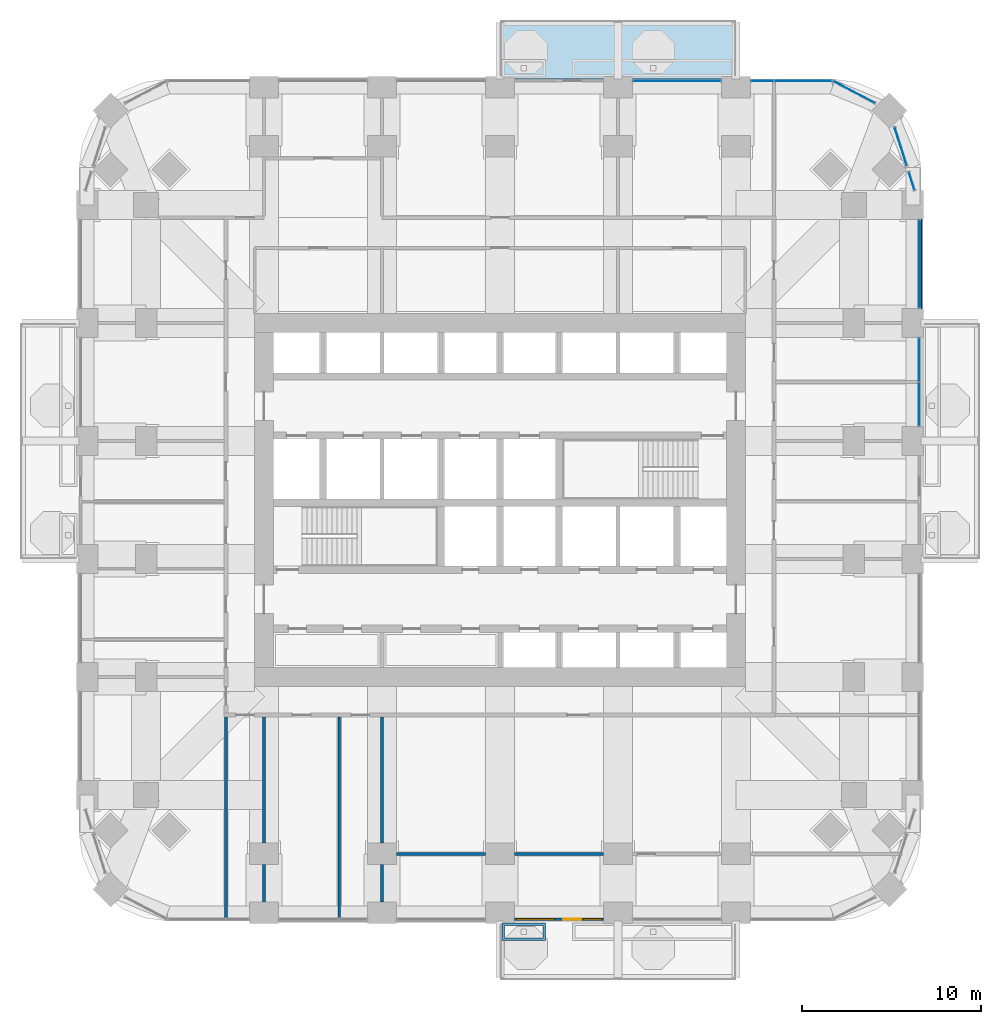
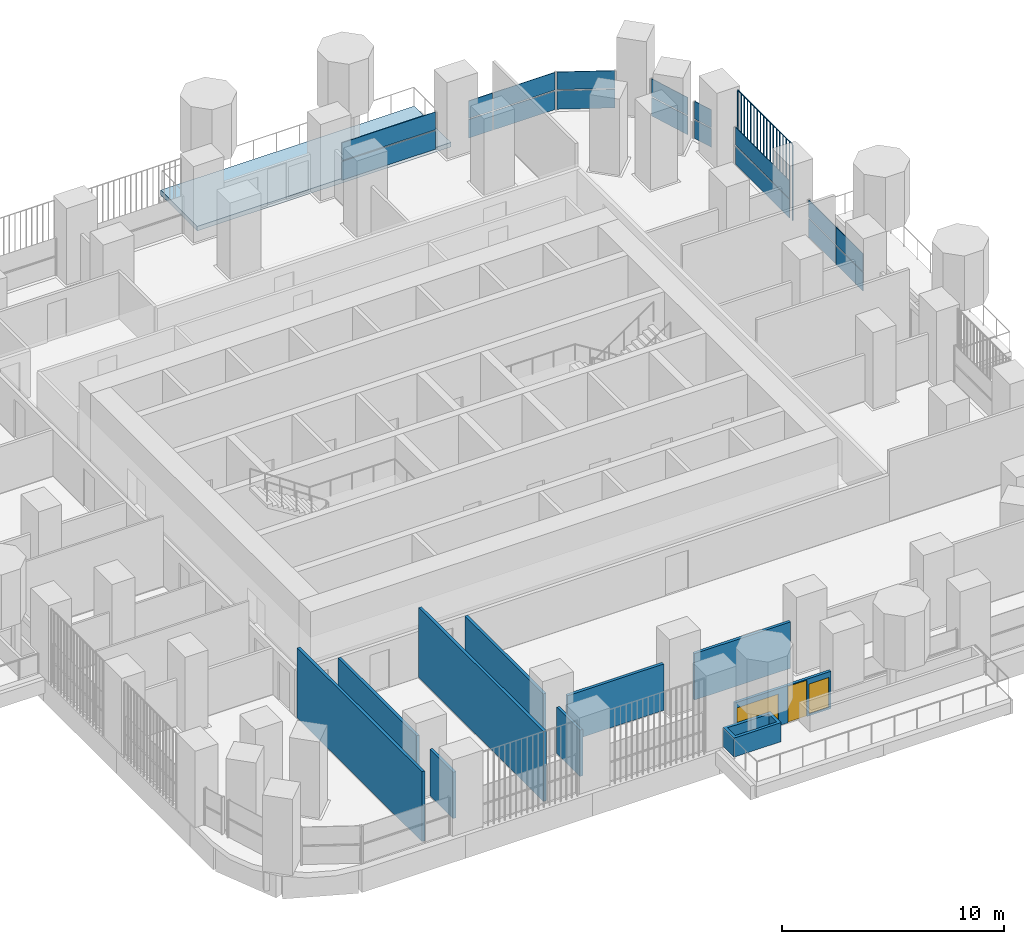
# One storey, part 13 of 22: 19 plates, 10 walls, 2 windows, 1 door, 1 slab, 3 openings, 7 elements without a shape of their own.
"""IFC4 building model written with IfcOpenShell, lengths in metres."""

from ifc_helpers import new_model, si_unit, direction, frame, frame_2d, origin, origin_2d, place, context, subcontext, project, spatial, polyline, rectangle, outline, extrude, material, layer, layer_set, type_object, element, fill, aggregate, save


model = new_model("IFC4")

# Units and contexts
model_context = context("Model", 3, precision=1e-05, world=origin(), true_north=direction((0.0, 1.0)))
body_context = subcontext(model_context, "Body", "Model", "MODEL_VIEW")
ifc_project = project(units=[si_unit("LENGTHUNIT", "METRE"), si_unit("AREAUNIT", "SQUARE_METRE"), si_unit("VOLUMEUNIT", "CUBIC_METRE"), si_unit("PLANEANGLEUNIT", "RADIAN"), si_unit("MASSUNIT", "GRAM", prefix="KILO")], contexts=[model_context])

# Site, building, storey
site_placement = place(None, origin())
site = spatial("IfcSite", under=ifc_project, at=site_placement, CompositionType="ELEMENT")
building_placement = place(site_placement, origin())
building = spatial("IfcBuilding", under=site, at=building_placement, Name="Cobogo Forest Laboratory Tower", CompositionType="ELEMENT")
storey_placement = place(building_placement, frame((0.0, 0.0, 145.199951171875)))
storey = spatial("IfcBuildingStorey", under=building, at=storey_placement, Name="L33", CompositionType="ELEMENT", Elevation=145.199951171875)

# Slab
ifc_material_1 = material(Name="Concrete HA-40 (C40/50)", Category="concrete")
ifc_layer_1 = layer(ifc_material_1, 0.25)
ifc_layer_set_1 = layer_set([ifc_layer_1], Name="Balcony slab 250")
slab_type = type_object("IfcSlabType", Name="Balcony slab 250", PredefinedType="FLOOR", material=ifc_layer_set_1)
slab_placement = place(storey_placement, frame((0.0, 0.0, -0.25)))
element("IfcSlab", 1, at=slab_placement, inside=storey, type_object=slab_type, Name="Balcony BAL-N1 L33", PredefinedType="FLOOR", context=body_context, shape_type="SweptSolid", body=[
    extrude(outline(polyline([(26.39990234375, 46.64990234375), (39.60009765625, 46.64990234375), (39.60009765625, 49.949951171875), (26.39990234375, 49.949951171875), (26.39990234375, 46.64990234375)])), origin(), (0.0, 0.0, 1.0), 0.25),
])

# Curtain wall, plates
ifc_material_2 = material(Name="Aluminium curtain wall", Category="aluminium")
curtain_wall_type = type_object("IfcCurtainWallType", Name="CW-1 unitised curtain wall, clear glazing, laboratory floors zones A and B", PredefinedType="USERDEFINED", material=ifc_material_2)
curtain_wall_1_placement = place(storey_placement, origin())
curtain_wall_1 = element("IfcCurtainWall", 2, at=curtain_wall_1_placement, inside=storey, type_object=curtain_wall_type, Name="Curtain wall 13 L33", ObjectType="UNITISED CURTAIN WALL", PredefinedType="USERDEFINED")
ifc_material_3 = material(Name="Clear insulated glass", Category="glass")
ifc_layer_2 = layer(ifc_material_3, 0.028076171875)
ifc_layer_set_2 = layer_set([ifc_layer_2], Name="GP-1 clear insulated glass unit 28")
plate_type_1 = type_object("IfcPlateType", Name="GP-1 clear insulated glass unit 28", PredefinedType="CURTAIN_PANEL", material=ifc_layer_set_2)
plate_1_placement = place(storey_placement, frame((49.85009765625, 28.465087890625, 0.0), z_axis=(0.0, 0.0, 1.0), x_axis=(0.0, 1.0, 0.0)))
plate_1 = element("IfcPlate", 3, at=plate_1_placement, type_object=plate_type_1, Name="CW-1 panel 1.1", PredefinedType="CURTAIN_PANEL", context=body_context, shape_type="SweptSolid", body=[
    extrude(rectangle(XDim=2.409912109375, YDim=0.028076171875, at=origin_2d()), origin(), (0.0, 0.0, 1.0), 1.02001953125),
])
plate_2_placement = place(storey_placement, frame((49.85009765625, 28.465087890625, 1.080078125), z_axis=(0.0, 0.0, 1.0), x_axis=(0.0, 1.0, 0.0)))
plate_2 = element("IfcPlate", 4, at=plate_2_placement, type_object=plate_type_1, Name="CW-1 panel 1.2", PredefinedType="CURTAIN_PANEL", context=body_context, shape_type="SweptSolid", body=[
    extrude(rectangle(XDim=2.409912109375, YDim=0.028076171875, at=origin_2d()), origin(), (0.0, 0.0, 1.0), 0.969970703125),
])
plate_3_placement = place(storey_placement, frame((49.85009765625, 30.93505859375, 0.0), z_axis=(0.0, 0.0, 1.0), x_axis=(0.0, 1.0, 0.0)))
plate_3 = element("IfcPlate", 5, at=plate_3_placement, type_object=plate_type_1, Name="CW-1 panel 2.1", PredefinedType="CURTAIN_PANEL", context=body_context, shape_type="SweptSolid", body=[
    extrude(rectangle(XDim=2.409912109375, YDim=0.028076171875, at=origin_2d()), origin(), (0.0, 0.0, 1.0), 1.02001953125),
])
plate_4_placement = place(storey_placement, frame((49.85009765625, 30.93505859375, 1.080078125), z_axis=(0.0, 0.0, 1.0), x_axis=(0.0, 1.0, 0.0)))
plate_4 = element("IfcPlate", 6, at=plate_4_placement, type_object=plate_type_1, Name="CW-1 panel 2.2", PredefinedType="CURTAIN_PANEL", context=body_context, shape_type="SweptSolid", body=[
    extrude(rectangle(XDim=2.409912109375, YDim=0.028076171875, at=origin_2d()), origin(), (0.0, 0.0, 1.0), 0.969970703125),
])
aggregate(curtain_wall_1, [plate_1, plate_2, plate_3, plate_4])

curtain_wall_2_placement = place(storey_placement, origin())
curtain_wall_2 = element("IfcCurtainWall", 7, at=curtain_wall_2_placement, inside=storey, type_object=curtain_wall_type, Name="Curtain wall 14 L33", ObjectType="UNITISED CURTAIN WALL", PredefinedType="USERDEFINED")
plate_5_placement = place(storey_placement, frame((49.85009765625, 36.300048828125, 0.0), z_axis=(0.0, 0.0, 1.0), x_axis=(0.0, 1.0, 0.0)))
plate_5 = element("IfcPlate", 8, at=plate_5_placement, type_object=plate_type_1, Name="CW-1 panel 1.1", PredefinedType="CURTAIN_PANEL", context=body_context, shape_type="SweptSolid", body=[
    extrude(rectangle(XDim=4.8798828125, YDim=0.028076171875, at=origin_2d()), origin(), (0.0, 0.0, 1.0), 1.02001953125),
])
plate_6_placement = place(storey_placement, frame((49.85009765625, 36.300048828125, 1.080078125), z_axis=(0.0, 0.0, 1.0), x_axis=(0.0, 1.0, 0.0)))
plate_6 = element("IfcPlate", 9, at=plate_6_placement, type_object=plate_type_1, Name="CW-1 panel 1.2", PredefinedType="CURTAIN_PANEL", context=body_context, shape_type="SweptSolid", body=[
    extrude(rectangle(XDim=4.8798828125, YDim=0.028076171875, at=origin_2d()), origin(), (0.0, 0.0, 1.0), 0.969970703125),
])
aggregate(curtain_wall_2, [plate_5, plate_6])

curtain_wall_3_placement = place(storey_placement, origin())
curtain_wall_3 = element("IfcCurtainWall", 10, at=curtain_wall_3_placement, inside=storey, type_object=curtain_wall_type, Name="Curtain wall 15 L33", ObjectType="UNITISED CURTAIN WALL", PredefinedType="USERDEFINED")
plate_7_placement = place(storey_placement, frame((49.426513671875, 40.94091796875, 0.0), z_axis=(0.0, 0.0, 1.0), x_axis=(-0.3011355018, 0.953581359694, 0.0)))
plate_7 = element("IfcPlate", 11, at=plate_7_placement, type_object=plate_type_1, Name="CW-1 panel 1.1", PredefinedType="CURTAIN_PANEL", context=body_context, shape_type="SweptSolid", body=[
    extrude(rectangle(XDim=1.0146484375, YDim=0.028076171875, at=origin_2d()), origin(), (0.0, 0.0, 1.0), 1.02001953125),
])
plate_8_placement = place(storey_placement, frame((49.426513671875, 40.94091796875, 1.080078125), z_axis=(0.0, 0.0, 1.0), x_axis=(-0.3011355018, 0.953581359694, 0.0)))
plate_8 = element("IfcPlate", 12, at=plate_8_placement, type_object=plate_type_1, Name="CW-1 panel 1.2", PredefinedType="CURTAIN_PANEL", context=body_context, shape_type="SweptSolid", body=[
    extrude(rectangle(XDim=1.0146484375, YDim=0.028076171875, at=origin_2d()), origin(), (0.0, 0.0, 1.0), 0.969970703125),
])
aggregate(curtain_wall_3, [plate_7, plate_8])

curtain_wall_4_placement = place(storey_placement, origin())
curtain_wall_4 = element("IfcCurtainWall", 13, at=curtain_wall_4_placement, inside=storey, type_object=curtain_wall_type, Name="Curtain wall 16 L33", ObjectType="UNITISED CURTAIN WALL", PredefinedType="USERDEFINED")
plate_9_placement = place(storey_placement, frame((48.8134765625, 42.882080078125, 0.0), z_axis=(0.0, 0.0, 1.0), x_axis=(-0.301135343623, 0.953581409645, 0.0)))
plate_9 = element("IfcPlate", 14, at=plate_9_placement, type_object=plate_type_1, Name="CW-1 panel 1.1", PredefinedType="CURTAIN_PANEL", context=body_context, shape_type="SweptSolid", body=[
    extrude(rectangle(XDim=2.203369140625, YDim=0.028076171875, at=origin_2d()), origin(), (0.0, 0.0, 1.0), 1.02001953125),
])
plate_10_placement = place(storey_placement, frame((48.8134765625, 42.882080078125, 1.080078125), z_axis=(0.0, 0.0, 1.0), x_axis=(-0.301135343623, 0.953581409645, 0.0)))
plate_10 = element("IfcPlate", 15, at=plate_10_placement, type_object=plate_type_1, Name="CW-1 panel 1.2", PredefinedType="CURTAIN_PANEL", context=body_context, shape_type="SweptSolid", body=[
    extrude(rectangle(XDim=2.203369140625, YDim=0.028076171875, at=origin_2d()), origin(), (0.0, 0.0, 1.0), 0.969970703125),
])
aggregate(curtain_wall_4, [plate_9, plate_10])

curtain_wall_5_placement = place(storey_placement, origin())
curtain_wall_5 = element("IfcCurtainWall", 16, at=curtain_wall_5_placement, inside=storey, type_object=curtain_wall_type, Name="Curtain wall 17 L33", ObjectType="UNITISED CURTAIN WALL", PredefinedType="USERDEFINED")
plate_11_placement = place(storey_placement, frame((46.2060546875, 45.917724609375, 0.0), z_axis=(0.0, 0.0, 1.0), x_axis=(-0.885686540666, 0.464283697413, 0.0)))
plate_11 = element("IfcPlate", 17, at=plate_11_placement, type_object=plate_type_1, Name="CW-1 panel 1.1", PredefinedType="CURTAIN_PANEL", context=body_context, shape_type="SweptSolid", body=[
    extrude(rectangle(XDim=2.603271484375, YDim=0.028076171875, at=origin_2d()), origin(), (0.0, 0.0, 1.0), 1.02001953125),
])
plate_12_placement = place(storey_placement, frame((46.2060546875, 45.917724609375, 1.080078125), z_axis=(0.0, 0.0, 1.0), x_axis=(-0.885686540666, 0.464283697413, 0.0)))
plate_12 = element("IfcPlate", 18, at=plate_12_placement, type_object=plate_type_1, Name="CW-1 panel 1.2", PredefinedType="CURTAIN_PANEL", context=body_context, shape_type="SweptSolid", body=[
    extrude(rectangle(XDim=2.603271484375, YDim=0.028076171875, at=origin_2d()), origin(), (0.0, 0.0, 1.0), 0.969970703125),
])
aggregate(curtain_wall_5, [plate_11, plate_12])

curtain_wall_6_placement = place(storey_placement, origin())
curtain_wall_6 = element("IfcCurtainWall", 19, at=curtain_wall_6_placement, inside=storey, type_object=curtain_wall_type, Name="Curtain wall 18 L33", ObjectType="UNITISED CURTAIN WALL", PredefinedType="USERDEFINED")
plate_13_placement = place(storey_placement, frame((43.347412109375, 46.550048828125, 0.0), z_axis=(0.0, 0.0, 1.0), x_axis=(-1.0, 0.0, 0.0)))
plate_13 = element("IfcPlate", 20, at=plate_13_placement, type_object=plate_type_1, Name="CW-1 panel 1.1", PredefinedType="CURTAIN_PANEL", context=body_context, shape_type="SweptSolid", body=[
    extrude(rectangle(XDim=3.18505859375, YDim=0.028076171875, at=origin_2d()), origin(), (0.0, 0.0, 1.0), 1.02001953125),
])
plate_14_placement = place(storey_placement, frame((43.347412109375, 46.550048828125, 1.080078125), z_axis=(0.0, 0.0, 1.0), x_axis=(-1.0, 0.0, 0.0)))
plate_14 = element("IfcPlate", 21, at=plate_14_placement, type_object=plate_type_1, Name="CW-1 panel 1.2", PredefinedType="CURTAIN_PANEL", context=body_context, shape_type="SweptSolid", body=[
    extrude(rectangle(XDim=3.18505859375, YDim=0.028076171875, at=origin_2d()), origin(), (0.0, 0.0, 1.0), 0.969970703125),
])
plate_15_placement = place(storey_placement, frame((41.077392578125, 46.550048828125, 0.0), z_axis=(0.0, 0.0, 1.0), x_axis=(-1.0, 0.0, 0.0)))
plate_15 = element("IfcPlate", 22, at=plate_15_placement, type_object=plate_type_1, Name="CW-1 panel 2.1", PredefinedType="CURTAIN_PANEL", context=body_context, shape_type="SweptSolid", body=[
    extrude(rectangle(XDim=1.235107421875, YDim=0.028076171875, at=origin_2d()), origin(), (0.0, 0.0, 1.0), 1.02001953125),
])
plate_16_placement = place(storey_placement, frame((41.077392578125, 46.550048828125, 1.080078125), z_axis=(0.0, 0.0, 1.0), x_axis=(-1.0, 0.0, 0.0)))
plate_16 = element("IfcPlate", 23, at=plate_16_placement, type_object=plate_type_1, Name="CW-1 panel 2.2", PredefinedType="CURTAIN_PANEL", context=body_context, shape_type="SweptSolid", body=[
    extrude(rectangle(XDim=1.235107421875, YDim=0.028076171875, at=origin_2d()), origin(), (0.0, 0.0, 1.0), 0.969970703125),
])
aggregate(curtain_wall_6, [plate_13, plate_14, plate_15, plate_16])

curtain_wall_7_placement = place(storey_placement, origin())
curtain_wall_7 = element("IfcCurtainWall", 24, at=curtain_wall_7_placement, inside=storey, type_object=curtain_wall_type, Name="Curtain wall 19 L33", ObjectType="UNITISED CURTAIN WALL", PredefinedType="USERDEFINED")
plate_17_placement = place(storey_placement, frame((36.300048828125, 46.550048828125, 0.0), z_axis=(0.0, 0.0, 1.0), x_axis=(-1.0, 0.0, 0.0)))
plate_17 = element("IfcPlate", 25, at=plate_17_placement, type_object=plate_type_1, Name="CW-1 panel 1.1", PredefinedType="CURTAIN_PANEL", context=body_context, shape_type="SweptSolid", body=[
    extrude(rectangle(XDim=4.8798828125, YDim=0.028076171875, at=origin_2d()), origin(), (0.0, 0.0, 1.0), 1.02001953125),
])
plate_18_placement = place(storey_placement, frame((36.300048828125, 46.550048828125, 1.080078125), z_axis=(0.0, 0.0, 1.0), x_axis=(-1.0, 0.0, 0.0)))
plate_18 = element("IfcPlate", 26, at=plate_18_placement, type_object=plate_type_1, Name="CW-1 panel 1.2", PredefinedType="CURTAIN_PANEL", context=body_context, shape_type="SweptSolid", body=[
    extrude(rectangle(XDim=4.8798828125, YDim=0.028076171875, at=origin_2d()), origin(), (0.0, 0.0, 1.0), 0.969970703125),
])
aggregate(curtain_wall_7, [plate_17, plate_18])

# Plate
ifc_material_4 = material(Name="Terracotta", Category="masonry")
plate_type_2 = type_object("IfcPlateType", Name="TB1 terracotta baguette screen", PredefinedType="USERDEFINED", material=ifc_material_4)
plate_19_placement = place(storey_placement, frame((49.977783203125, 33.831298828125, -0.14990234375)))
element("IfcPlate", 27, at=plate_19_placement, inside=storey, type_object=plate_type_2, Name="Baguette screen E5 L33", ObjectType="BAGUETTE SCREEN", PredefinedType="USERDEFINED", context=body_context, shape_type="SweptSolid", body=[
    extrude(outline(polyline([(0.02880859375, 0.011962890625), (0.011962890625, 0.02880859375), (-0.011962890625, 0.02880859375), (-0.02880859375, 0.011962890625), (-0.02880859375, -0.011962890625), (-0.011962890625, -0.02880859375), (0.011962890625, -0.02880859375), (0.02880859375, -0.011962890625), (0.02880859375, 0.011962890625)])), frame((0.0, 0.0, 4.168701171875), z_axis=(0.0, 1.0, 0.0), x_axis=(-1.0, 0.0, 0.0)), (0.0, 0.0, 1.0), 4.9375),
    extrude(outline(polyline([(0.02880859375, 0.011962890625), (0.011962890625, 0.02880859375), (-0.011962890625, 0.02880859375), (-0.02880859375, 0.011962890625), (-0.02880859375, -0.011962890625), (-0.011962890625, -0.02880859375), (0.011962890625, -0.02880859375), (0.02880859375, -0.011962890625), (0.02880859375, 0.011962890625)])), origin(), (0.0, 0.0, 1.0), 4.137451171875),
    extrude(outline(polyline([(0.02880859375, 0.011962890625), (0.011962890625, 0.02880859375), (-0.011962890625, 0.02880859375), (-0.02880859375, 0.011962890625), (-0.02880859375, -0.011962890625), (-0.011962890625, -0.02880859375), (0.011962890625, -0.02880859375), (0.02880859375, -0.011962890625), (0.02880859375, 0.011962890625)])), frame((0.0, 0.29052734375, 0.0)), (0.0, 0.0, 1.0), 4.137451171875),
    extrude(outline(polyline([(0.02880859375, 0.011962890625), (0.011962890625, 0.02880859375), (-0.011962890625, 0.02880859375), (-0.02880859375, 0.011962890625), (-0.02880859375, -0.011962890625), (-0.011962890625, -0.02880859375), (0.011962890625, -0.02880859375), (0.02880859375, -0.011962890625), (0.02880859375, 0.011962890625)])), frame((0.0, 0.580810546875, 0.0)), (0.0, 0.0, 1.0), 4.137451171875),
    extrude(outline(polyline([(0.02880859375, 0.011962890625), (0.011962890625, 0.02880859375), (-0.011962890625, 0.02880859375), (-0.02880859375, 0.011962890625), (-0.02880859375, -0.011962890625), (-0.011962890625, -0.02880859375), (0.011962890625, -0.02880859375), (0.02880859375, -0.011962890625), (0.02880859375, 0.011962890625)])), frame((0.0, 0.871337890625, 0.0)), (0.0, 0.0, 1.0), 4.137451171875),
    extrude(outline(polyline([(0.02880859375, 0.011962890625), (0.011962890625, 0.02880859375), (-0.011962890625, 0.02880859375), (-0.02880859375, 0.011962890625), (-0.02880859375, -0.011962890625), (-0.011962890625, -0.02880859375), (0.011962890625, -0.02880859375), (0.02880859375, -0.011962890625), (0.02880859375, 0.011962890625)])), frame((0.0, 1.161865234375, 0.0)), (0.0, 0.0, 1.0), 4.137451171875),
    extrude(outline(polyline([(0.02880859375, 0.011962890625), (0.011962890625, 0.02880859375), (-0.011962890625, 0.02880859375), (-0.02880859375, 0.011962890625), (-0.02880859375, -0.011962890625), (-0.011962890625, -0.02880859375), (0.011962890625, -0.02880859375), (0.02880859375, -0.011962890625), (0.02880859375, 0.011962890625)])), frame((0.0, 1.4521484375, 0.0)), (0.0, 0.0, 1.0), 4.137451171875),
    extrude(outline(polyline([(0.02880859375, 0.011962890625), (0.011962890625, 0.02880859375), (-0.011962890625, 0.02880859375), (-0.02880859375, 0.011962890625), (-0.02880859375, -0.011962890625), (-0.011962890625, -0.02880859375), (0.011962890625, -0.02880859375), (0.02880859375, -0.011962890625), (0.02880859375, 0.011962890625)])), frame((0.0, 1.74267578125, 0.0)), (0.0, 0.0, 1.0), 4.137451171875),
    extrude(outline(polyline([(0.02880859375, 0.011962890625), (0.011962890625, 0.02880859375), (-0.011962890625, 0.02880859375), (-0.02880859375, 0.011962890625), (-0.02880859375, -0.011962890625), (-0.011962890625, -0.02880859375), (0.011962890625, -0.02880859375), (0.02880859375, -0.011962890625), (0.02880859375, 0.011962890625)])), frame((0.0, 2.033203125, 0.0)), (0.0, 0.0, 1.0), 4.137451171875),
    extrude(outline(polyline([(0.02880859375, 0.011962890625), (0.011962890625, 0.02880859375), (-0.011962890625, 0.02880859375), (-0.02880859375, 0.011962890625), (-0.02880859375, -0.011962890625), (-0.011962890625, -0.02880859375), (0.011962890625, -0.02880859375), (0.02880859375, -0.011962890625), (0.02880859375, 0.011962890625)])), frame((0.0, 2.323486328125, 0.0)), (0.0, 0.0, 1.0), 4.137451171875),
    extrude(outline(polyline([(0.02880859375, 0.011962890625), (0.011962890625, 0.02880859375), (-0.011962890625, 0.02880859375), (-0.02880859375, 0.011962890625), (-0.02880859375, -0.011962890625), (-0.011962890625, -0.02880859375), (0.011962890625, -0.02880859375), (0.02880859375, -0.011962890625), (0.02880859375, 0.011962890625)])), frame((0.0, 2.614013671875, 0.0)), (0.0, 0.0, 1.0), 4.137451171875),
    extrude(outline(polyline([(0.02880859375, 0.011962890625), (0.011962890625, 0.02880859375), (-0.011962890625, 0.02880859375), (-0.02880859375, 0.011962890625), (-0.02880859375, -0.011962890625), (-0.011962890625, -0.02880859375), (0.011962890625, -0.02880859375), (0.02880859375, -0.011962890625), (0.02880859375, 0.011962890625)])), frame((0.0, 2.904296875, 0.0)), (0.0, 0.0, 1.0), 4.137451171875),
    extrude(outline(polyline([(0.02880859375, 0.011962890625), (0.011962890625, 0.02880859375), (-0.011962890625, 0.02880859375), (-0.02880859375, 0.011962890625), (-0.02880859375, -0.011962890625), (-0.011962890625, -0.02880859375), (0.011962890625, -0.02880859375), (0.02880859375, -0.011962890625), (0.02880859375, 0.011962890625)])), frame((0.0, 3.19482421875, 0.0)), (0.0, 0.0, 1.0), 4.137451171875),
    extrude(outline(polyline([(0.02880859375, 0.011962890625), (0.011962890625, 0.02880859375), (-0.011962890625, 0.02880859375), (-0.02880859375, 0.011962890625), (-0.02880859375, -0.011962890625), (-0.011962890625, -0.02880859375), (0.011962890625, -0.02880859375), (0.02880859375, -0.011962890625), (0.02880859375, 0.011962890625)])), frame((0.0, 3.4853515625, 0.0)), (0.0, 0.0, 1.0), 4.137451171875),
    extrude(outline(polyline([(0.02880859375, 0.011962890625), (0.011962890625, 0.02880859375), (-0.011962890625, 0.02880859375), (-0.02880859375, 0.011962890625), (-0.02880859375, -0.011962890625), (-0.011962890625, -0.02880859375), (0.011962890625, -0.02880859375), (0.02880859375, -0.011962890625), (0.02880859375, 0.011962890625)])), frame((0.0, 3.775634765625, 0.0)), (0.0, 0.0, 1.0), 4.137451171875),
    extrude(outline(polyline([(0.02880859375, 0.011962890625), (0.011962890625, 0.02880859375), (-0.011962890625, 0.02880859375), (-0.02880859375, 0.011962890625), (-0.02880859375, -0.011962890625), (-0.011962890625, -0.02880859375), (0.011962890625, -0.02880859375), (0.02880859375, -0.011962890625), (0.02880859375, 0.011962890625)])), frame((0.0, 4.066162109375, 0.0)), (0.0, 0.0, 1.0), 4.137451171875),
    extrude(outline(polyline([(0.02880859375, 0.011962890625), (0.011962890625, 0.02880859375), (-0.011962890625, 0.02880859375), (-0.02880859375, 0.011962890625), (-0.02880859375, -0.011962890625), (-0.011962890625, -0.02880859375), (0.011962890625, -0.02880859375), (0.02880859375, -0.011962890625), (0.02880859375, 0.011962890625)])), frame((0.0, 4.356689453125, 0.0)), (0.0, 0.0, 1.0), 4.137451171875),
    extrude(outline(polyline([(0.02880859375, 0.011962890625), (0.011962890625, 0.02880859375), (-0.011962890625, 0.02880859375), (-0.02880859375, 0.011962890625), (-0.02880859375, -0.011962890625), (-0.011962890625, -0.02880859375), (0.011962890625, -0.02880859375), (0.02880859375, -0.011962890625), (0.02880859375, 0.011962890625)])), frame((0.0, 4.64697265625, 0.0)), (0.0, 0.0, 1.0), 4.137451171875),
    extrude(outline(polyline([(0.02880859375, 0.011962890625), (0.011962890625, 0.02880859375), (-0.011962890625, 0.02880859375), (-0.02880859375, 0.011962890625), (-0.02880859375, -0.011962890625), (-0.011962890625, -0.02880859375), (0.011962890625, -0.02880859375), (0.02880859375, -0.011962890625), (0.02880859375, 0.011962890625)])), frame((0.0, 4.9375, 0.0)), (0.0, 0.0, 1.0), 4.137451171875),
])

# Wall, openings, door, windows
ifc_material_5 = material(Name="Aluminium framed glazed screen", Category="aluminium")
ifc_layer_3 = layer(ifc_material_5, 0.14990234375)
ifc_layer_set_3 = layer_set([ifc_layer_3], Name="GS1 glazed door screen 150")
wall_type_1 = type_object("IfcWallType", Name="GS1 glazed door screen 150", PredefinedType="SOLIDWALL", material=ifc_layer_set_3)
wall_1_placement = place(storey_placement, frame((27.199951171875, -0.35009765625, 0.0), z_axis=(0.0, 0.0, 1.0), x_axis=(1.0, 0.0, 0.0)))
wall_1 = element("IfcWall", 28, at=wall_1_placement, inside=storey, type_object=wall_type_1, Name="Door screen BAL-S1 L33", PredefinedType="SOLIDWALL", context=body_context, shape_type="SweptSolid", body=[
    extrude(rectangle(XDim=5.0, YDim=0.14990234375, at=frame_2d((2.5, 0.0))), origin(), (0.0, 0.0, 1.0), 2.050048828125),
])
opening_1_placement = place(wall_1_placement, frame((2.75, 0.0, 0.0)))
opening_1 = element("IfcOpeningElement", 29, at=opening_1_placement, cuts=wall_1, Name="Opening L33-D01", PredefinedType="OPENING", context=body_context, shape_type="SweptSolid", body=[
    extrude(rectangle(XDim=1.0, YDim=2.0, at=frame_2d((0.5, 1.0))), frame((0.0, 0.0849609375, 0.0), z_axis=(0.0, -1.0, 0.0), x_axis=(1.0, 0.0, 0.0)), (0.0, 0.0, 1.0), 0.169921875),
])
opening_2_placement = place(wall_1_placement, frame((0.10009765625, 0.0, 0.10009765625)))
opening_2 = element("IfcOpeningElement", 30, at=opening_2_placement, cuts=wall_1, Name="Opening L33-W01", PredefinedType="OPENING", context=body_context, shape_type="SweptSolid", body=[
    extrude(rectangle(XDim=2.14990234375, YDim=1.64990234375, at=frame_2d((1.074951171875, 0.824951171875))), frame((0.0, 0.0849609375, 0.0), z_axis=(0.0, -1.0, 0.0), x_axis=(1.0, 0.0, 0.0)), (0.0, 0.0, 1.0), 0.169921875),
])
opening_3_placement = place(wall_1_placement, frame((3.85009765625, 0.0, 0.10009765625)))
opening_3 = element("IfcOpeningElement", 31, at=opening_3_placement, cuts=wall_1, Name="Opening L33-W02", PredefinedType="OPENING", context=body_context, shape_type="SweptSolid", body=[
    extrude(rectangle(XDim=1.050048828125, YDim=1.64990234375, at=frame_2d((0.52490234375, 0.824951171875))), frame((0.0, 0.0849609375, 0.0), z_axis=(0.0, -1.0, 0.0), x_axis=(1.0, 0.0, 0.0)), (0.0, 0.0, 1.0), 0.169921875),
])
ifc_material_6 = material(Name="Aluminium glazed door", Category="aluminium")
door_type = type_object("IfcDoorType", Name="DB2 balcony door 1000 glazed 2000 high", OperationType="SINGLE_SWING_LEFT", PredefinedType="DOOR", material=ifc_material_6)
door_placement = place(opening_1_placement, origin())
door = element("IfcDoor", 32, at=door_placement, inside=storey, type_object=door_type, Name="Door L33-BAL-S1", OperationType="SINGLE_SWING_RIGHT", OverallHeight=2.0, OverallWidth=1.0, PredefinedType="DOOR", context=body_context, shape_type="SweptSolid", body=[
    extrude(rectangle(XDim=1.0, YDim=2.0, at=frame_2d((0.5, 1.0))), frame((0.0, 0.02490234375, 0.0), z_axis=(0.0, -1.0, 0.0), x_axis=(1.0, 0.0, 0.0)), (0.0, 0.0, 1.0), 0.050048828125),
])
fill(opening_1, door)
ifc_material_7 = material(Name="Aluminium framed glazing", Category="aluminium")
window_type_1 = type_object("IfcWindowType", Name="WG19 fixed glazed light 2150x1650", PartitioningType="SINGLE_PANEL", PredefinedType="WINDOW", material=ifc_material_7)
window_1_placement = place(opening_2_placement, origin())
window_1 = element("IfcWindow", 33, at=window_1_placement, inside=storey, type_object=window_type_1, Name="Window L33-BAL-S1-1", OverallHeight=1.64990234375, OverallWidth=2.14990234375, PartitioningType="SINGLE_PANEL", PredefinedType="WINDOW", context=body_context, shape_type="SweptSolid", body=[
    extrude(rectangle(XDim=2.14990234375, YDim=1.64990234375, at=frame_2d((1.074951171875, 0.824951171875))), frame((0.0, 0.030029296875, 0.0), z_axis=(0.0, -1.0, 0.0), x_axis=(1.0, 0.0, 0.0)), (0.0, 0.0, 1.0), 0.06005859375),
])
fill(opening_2, window_1)
window_type_2 = type_object("IfcWindowType", Name="WG20 fixed glazed light 1050x1650", PartitioningType="SINGLE_PANEL", PredefinedType="WINDOW", material=ifc_material_7)
window_2_placement = place(opening_3_placement, origin())
window_2 = element("IfcWindow", 34, at=window_2_placement, inside=storey, type_object=window_type_2, Name="Window L33-BAL-S1-2", OverallHeight=1.64990234375, OverallWidth=1.050048828125, PartitioningType="SINGLE_PANEL", PredefinedType="WINDOW", context=body_context, shape_type="SweptSolid", body=[
    extrude(rectangle(XDim=1.050048828125, YDim=1.64990234375, at=frame_2d((0.52490234375, 0.824951171875))), frame((0.0, 0.030029296875, 0.0), z_axis=(0.0, -1.0, 0.0), x_axis=(1.0, 0.0, 0.0)), (0.0, 0.0, 1.0), 0.06005859375),
])
fill(opening_3, window_2)

# Walls
ifc_material_8 = material(Name="Gypsum board on steel studs", Category="steel")
ifc_layer_4 = layer(ifc_material_8, 0.14990234375)
ifc_layer_set_4 = layer_set([ifc_layer_4], Name="PT1 laboratory partition 150")
wall_type_2 = type_object("IfcWallType", Name="PT1 laboratory partition 150", PredefinedType="PARTITIONING", material=ifc_layer_set_4)
wall_2_placement = place(storey_placement, frame((11.074951171875, -0.27001953125, 0.0), z_axis=(0.0, 0.0, 1.0), x_axis=(0.0, 1.0, 0.0)))
element("IfcWall", 35, at=wall_2_placement, inside=storey, type_object=wall_type_2, Name="Partition PW-SW L33", PredefinedType="PARTITIONING", context=body_context, shape_type="SweptSolid", body=[
    extrude(rectangle(XDim=11.2451171875, YDim=0.14990234375, at=frame_2d((5.62255859375, 0.0))), origin(), (0.0, 0.0, 1.0), 3.85009765625),
])
for number, where, z_axis, x_axis, name in (
    (36, (20.60009765625, 3.300048828125, 0.0), (0.0, 0.0, 1.0), (1.0, 0.0, 0.0), "Partition STRIP-S-1 L33"),
    (37, (27.199951171875, 3.300048828125, 0.0), (0.0, 0.0, 1.0), (1.0, 0.0, 0.0), "Partition STRIP-S-2 L33"),
):
    element("IfcWall", number, at=place(storey_placement, frame(where, z_axis=z_axis, x_axis=x_axis)), inside=storey, type_object=wall_type_2, Name=name, PredefinedType="PARTITIONING", context=body_context, shape_type="SweptSolid", body=[
        extrude(rectangle(XDim=5.0, YDim=0.14990234375, at=frame_2d((2.5, 0.0))), origin(), (0.0, 0.0, 1.0), 2.550048828125),
    ])
wall_3_placement = place(storey_placement, frame((17.39990234375, -0.27001953125, 0.0), z_axis=(0.0, 0.0, 1.0), x_axis=(0.0, 1.0, 0.0)))
element("IfcWall", 38, at=wall_3_placement, inside=storey, type_object=wall_type_2, Name="Partition SVC-S1-1 L33", PredefinedType="PARTITIONING", context=body_context, shape_type="SweptSolid", body=[
    extrude(rectangle(XDim=11.2451171875, YDim=0.14990234375, at=frame_2d((5.62255859375, 0.0))), origin(), (0.0, 0.0, 1.0), 3.85009765625),
])
wall_4_placement = place(storey_placement, frame((19.800048828125, 0.60009765625, 0.0), z_axis=(0.0, 0.0, 1.0), x_axis=(0.0, 1.0, 0.0)))
element("IfcWall", 39, at=wall_4_placement, inside=storey, type_object=wall_type_2, Name="Partition SVC-S2-1 L33", PredefinedType="PARTITIONING", context=body_context, shape_type="SweptSolid", body=[
    extrude(rectangle(XDim=2.099853515625, YDim=0.14990234375, at=frame_2d((1.0498046875, 0.0))), origin(), (0.0, 0.0, 1.0), 2.550048828125),
])
wall_5_placement = place(storey_placement, frame((19.800048828125, 3.89990234375, 0.0), z_axis=(0.0, 0.0, 1.0), x_axis=(0.0, 1.0, 0.0)))
element("IfcWall", 40, at=wall_5_placement, inside=storey, type_object=wall_type_2, Name="Partition SVC-S2-2 L33", PredefinedType="PARTITIONING", context=body_context, shape_type="SweptSolid", body=[
    extrude(rectangle(XDim=7.0751953125, YDim=0.14990234375, at=frame_2d((3.53759765625, 0.0))), origin(), (0.0, 0.0, 1.0), 2.550048828125),
])
wall_6_placement = place(storey_placement, frame((13.199951171875, 0.60009765625, 0.0), z_axis=(0.0, 0.0, 1.0), x_axis=(0.0, 1.0, 0.0)))
element("IfcWall", 41, at=wall_6_placement, inside=storey, type_object=wall_type_2, Name="Partition CUT-S13.2-1 L33", PredefinedType="PARTITIONING", context=body_context, shape_type="SweptSolid", body=[
    extrude(rectangle(XDim=2.099853515625, YDim=0.14990234375, at=frame_2d((1.0498046875, 0.0))), origin(), (0.0, 0.0, 1.0), 2.550048828125),
])
wall_7_placement = place(storey_placement, frame((13.199951171875, 3.89990234375, 0.0), z_axis=(0.0, 0.0, 1.0), x_axis=(0.0, 1.0, 0.0)))
element("IfcWall", 42, at=wall_7_placement, inside=storey, type_object=wall_type_2, Name="Partition CUT-S13.2-2 L33", PredefinedType="PARTITIONING", context=body_context, shape_type="SweptSolid", body=[
    extrude(rectangle(XDim=7.0751953125, YDim=0.14990234375, at=frame_2d((3.53759765625, 0.0))), origin(), (0.0, 0.0, 1.0), 2.550048828125),
])
ifc_layer_5 = layer(ifc_material_1, 0.14990234375)
ifc_layer_set_5 = layer_set([ifc_layer_5], Name="Planter box 1000x1050")
wall_type_3 = type_object("IfcWallType", Name="Planter box 1000x1050", PredefinedType="USERDEFINED", material=ifc_layer_set_5)
wall_8_placement = place(storey_placement, origin())
element("IfcWall", 43, at=wall_8_placement, inside=storey, type_object=wall_type_3, Name="Planter BAL-S1-1 L33", ObjectType="PLANTER", PredefinedType="USERDEFINED", context=body_context, shape_type="SweptSolid", body=[
    extrude(outline(polyline([(26.5, -1.550048828125), (28.949951171875, -1.550048828125), (28.949951171875, -0.550048828125), (26.5, -0.550048828125), (26.5, -1.550048828125)]), holes=[polyline([(26.64990234375, -1.39990234375), (28.800048828125, -1.39990234375), (28.800048828125, -0.699951171875), (26.64990234375, -0.699951171875), (26.64990234375, -1.39990234375)])]), origin(), (0.0, 0.0, 1.0), 1.050048828125),
])

save(model, "model.ifc")
